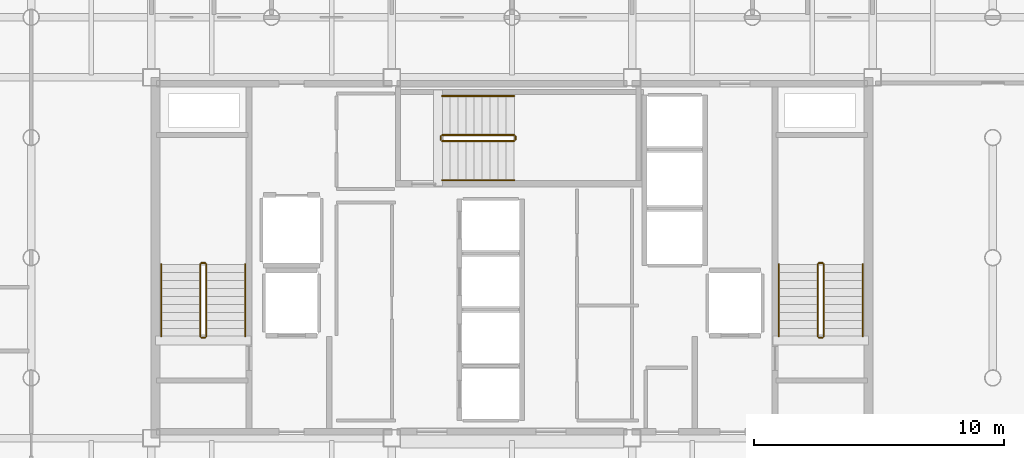
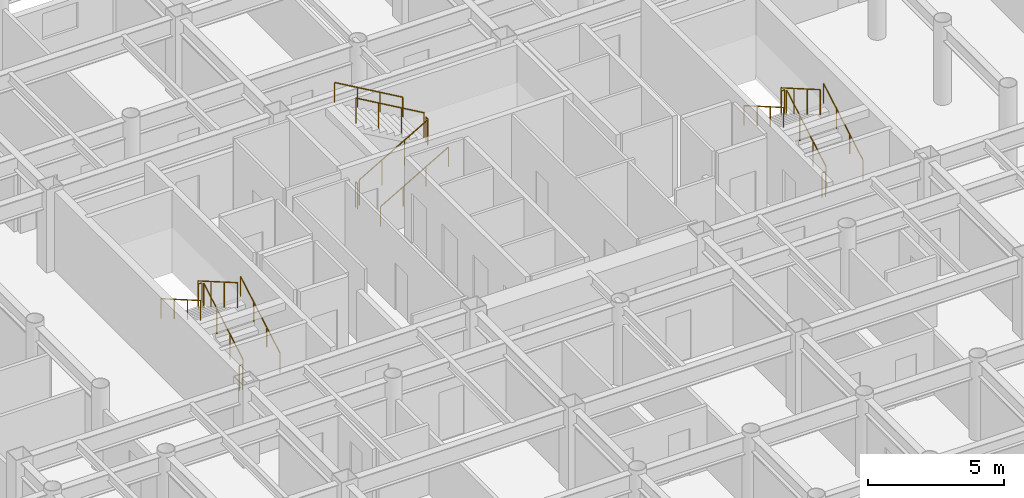
# One storey, part 20 of 20: 18 railings.
"""IFC4 building model written with IfcOpenShell, lengths in metres."""

from ifc_helpers import new_model, si_unit, direction, frame, origin, origin_2d, place, context, subcontext, project, spatial, circle, extrude, material, layer, layer_set, type_object, element, save


model = new_model("IFC4")

# Units and contexts
model_context = context("Model", 3, precision=1e-05, world=origin(), true_north=direction((0.0, 1.0)))
body_context = subcontext(model_context, "Body", "Model", "MODEL_VIEW")
ifc_project = project(units=[si_unit("LENGTHUNIT", "METRE"), si_unit("AREAUNIT", "SQUARE_METRE"), si_unit("VOLUMEUNIT", "CUBIC_METRE"), si_unit("PLANEANGLEUNIT", "RADIAN"), si_unit("MASSUNIT", "GRAM", prefix="KILO")], contexts=[model_context])

# Site, building, storey
site_placement = place(None, origin())
site = spatial("IfcSite", under=ifc_project, at=site_placement, CompositionType="ELEMENT")
building_placement = place(site_placement, origin())
building = spatial("IfcBuilding", under=site, at=building_placement, Name="Kallvorn Hotel Tower", CompositionType="ELEMENT")
storey_placement = place(building_placement, frame((0.0, 0.0, 161.800048828125)))
storey = spatial("IfcBuildingStorey", under=building, at=storey_placement, Name="L40", CompositionType="ELEMENT", Elevation=161.800048828125)

# Railings
ifc_material_1 = material(Name="Brushed stainless-steel tubular railing", Category="steel")
ifc_layer_1 = layer(ifc_material_1, 0.050048828125)
ifc_layer_set_1 = layer_set([ifc_layer_1], Name="RL_STAIR_GUARD")
railing_type_1 = type_object("IfcRailingType", Name="RL_STAIR_GUARD", PredefinedType="GUARDRAIL", material=ifc_layer_set_1)
railing_1_placement = place(storey_placement, frame((-12.2099609375, -3.139892578125, 0.18505859375)))
element("IfcRailing", 1, at=railing_1_placement, inside=storey, type_object=railing_type_1, Name="L40 ST1 stair guard 1", PredefinedType="GUARDRAIL", context=body_context, shape_type="SweptSolid", body=[
    extrude(circle(Radius=0.02392578125, at=origin_2d()), frame((0.0, 0.0, 1.1259765625), z_axis=(0.0, 0.86575271903, 0.500472006703), x_axis=(-1.0, 0.0, 0.0)), (0.0, 0.0, 1.0), 3.326416015625),
    extrude(circle(Radius=0.02099609375, at=origin_2d()), origin(), (0.0, 0.0, 1.0), 1.101806640625),
    extrude(circle(Radius=0.02099609375, at=origin_2d()), frame((0.0, 0.9599609375, 0.554931640625)), (0.0, 0.0, 1.0), 1.101806640625),
    extrude(circle(Radius=0.02099609375, at=origin_2d()), frame((0.0, 1.919921875, 1.10986328125)), (0.0, 0.0, 1.0), 1.101806640625),
    extrude(circle(Radius=0.02099609375, at=origin_2d()), frame((0.0, 2.8798828125, 1.664794921875)), (0.0, 0.0, 1.0), 1.101806640625),
])
railing_2_placement = place(storey_placement, frame((-12.260009765625, -0.2099609375, 1.849853515625)))
element("IfcRailing", 2, at=railing_2_placement, inside=storey, type_object=railing_type_1, Name="L40 ST1 stair guard 2", PredefinedType="GUARDRAIL", context=body_context, shape_type="SweptSolid", body=[
    extrude(circle(Radius=0.02392578125, at=origin_2d()), frame((0.0, 0.0, 1.1259765625), z_axis=(-1.0, 0.0, 0.0), x_axis=(0.0, -1.0, 0.0)), (0.0, 0.0, 1.0), 0.139892578125),
    extrude(circle(Radius=0.02099609375, at=origin_2d()), origin(), (0.0, 0.0, 1.0), 1.101806640625),
    extrude(circle(Radius=0.02099609375, at=origin_2d()), frame((-0.139892578125, 0.0, 0.0)), (0.0, 0.0, 1.0), 1.101806640625),
])
railing_3_placement = place(storey_placement, frame((-12.449951171875, -0.260009765625, 2.034912109375)))
element("IfcRailing", 3, at=railing_3_placement, inside=storey, type_object=railing_type_1, Name="L40 ST1 stair guard 3", PredefinedType="GUARDRAIL", context=body_context, shape_type="SweptSolid", body=[
    extrude(circle(Radius=0.02392578125, at=origin_2d()), frame((0.0, 0.0, 1.1259765625), z_axis=(0.0, -0.865720918037, 0.500527014328), x_axis=(1.0, 0.0, 0.0)), (0.0, 0.0, 1.0), 3.32666015625),
    extrude(circle(Radius=0.02099609375, at=origin_2d()), origin(), (0.0, 0.0, 1.0), 1.101806640625),
    extrude(circle(Radius=0.02099609375, at=origin_2d()), frame((0.0, -0.9599609375, 0.554931640625)), (0.0, 0.0, 1.0), 1.101806640625),
    extrude(circle(Radius=0.02099609375, at=origin_2d()), frame((0.0, -1.919921875, 1.110107421875)), (0.0, 0.0, 1.0), 1.101806640625),
    extrude(circle(Radius=0.02099609375, at=origin_2d()), frame((0.0, -2.8798828125, 1.6650390625)), (0.0, 0.0, 1.0), 1.101806640625),
])
railing_4_placement = place(storey_placement, frame((-12.260009765625, -3.18994140625, 0.0)))
element("IfcRailing", 4, at=railing_4_placement, inside=storey, type_object=railing_type_1, Name="L40 ST1 stair guard 4", PredefinedType="GUARDRAIL", context=body_context, shape_type="SweptSolid", body=[
    extrude(circle(Radius=0.02392578125, at=origin_2d()), frame((0.0, 0.0, 1.1259765625), z_axis=(-1.0, 0.0, 0.0), x_axis=(0.0, -1.0, 0.0)), (0.0, 0.0, 1.0), 0.139892578125),
    extrude(circle(Radius=0.02099609375, at=origin_2d()), origin(), (0.0, 0.0, 1.0), 1.101806640625),
    extrude(circle(Radius=0.02099609375, at=origin_2d()), frame((-0.139892578125, 0.0, 0.0)), (0.0, 0.0, 1.0), 1.101806640625),
])
railing_5_placement = place(storey_placement, frame((12.449951171875, -3.139892578125, 0.18505859375)))
element("IfcRailing", 5, at=railing_5_placement, inside=storey, type_object=railing_type_1, Name="L40 ST2 stair guard 1", PredefinedType="GUARDRAIL", context=body_context, shape_type="SweptSolid", body=[
    extrude(circle(Radius=0.02392578125, at=origin_2d()), frame((0.0, 0.0, 1.1259765625), z_axis=(0.0, 0.86575271903, 0.500472006703), x_axis=(-1.0, 0.0, 0.0)), (0.0, 0.0, 1.0), 3.326416015625),
    extrude(circle(Radius=0.02099609375, at=origin_2d()), origin(), (0.0, 0.0, 1.0), 1.101806640625),
    extrude(circle(Radius=0.02099609375, at=origin_2d()), frame((0.0, 0.9599609375, 0.554931640625)), (0.0, 0.0, 1.0), 1.101806640625),
    extrude(circle(Radius=0.02099609375, at=origin_2d()), frame((0.0, 1.919921875, 1.10986328125)), (0.0, 0.0, 1.0), 1.101806640625),
    extrude(circle(Radius=0.02099609375, at=origin_2d()), frame((0.0, 2.8798828125, 1.664794921875)), (0.0, 0.0, 1.0), 1.101806640625),
])
railing_6_placement = place(storey_placement, frame((12.39990234375, -0.2099609375, 1.849853515625)))
element("IfcRailing", 6, at=railing_6_placement, inside=storey, type_object=railing_type_1, Name="L40 ST2 stair guard 2", PredefinedType="GUARDRAIL", context=body_context, shape_type="SweptSolid", body=[
    extrude(circle(Radius=0.02392578125, at=origin_2d()), frame((0.0, 0.0, 1.1259765625), z_axis=(-1.0, 0.0, 0.0), x_axis=(0.0, -1.0, 0.0)), (0.0, 0.0, 1.0), 0.139892578125),
    extrude(circle(Radius=0.02099609375, at=origin_2d()), origin(), (0.0, 0.0, 1.0), 1.101806640625),
    extrude(circle(Radius=0.02099609375, at=origin_2d()), frame((-0.139892578125, 0.0, 0.0)), (0.0, 0.0, 1.0), 1.101806640625),
])
railing_7_placement = place(storey_placement, frame((12.2099609375, -0.260009765625, 2.034912109375)))
element("IfcRailing", 7, at=railing_7_placement, inside=storey, type_object=railing_type_1, Name="L40 ST2 stair guard 3", PredefinedType="GUARDRAIL", context=body_context, shape_type="SweptSolid", body=[
    extrude(circle(Radius=0.02392578125, at=origin_2d()), frame((0.0, 0.0, 1.1259765625), z_axis=(0.0, -0.865720918037, 0.500527014328), x_axis=(1.0, 0.0, 0.0)), (0.0, 0.0, 1.0), 3.32666015625),
    extrude(circle(Radius=0.02099609375, at=origin_2d()), origin(), (0.0, 0.0, 1.0), 1.101806640625),
    extrude(circle(Radius=0.02099609375, at=origin_2d()), frame((0.0, -0.9599609375, 0.554931640625)), (0.0, 0.0, 1.0), 1.101806640625),
    extrude(circle(Radius=0.02099609375, at=origin_2d()), frame((0.0, -1.919921875, 1.110107421875)), (0.0, 0.0, 1.0), 1.101806640625),
    extrude(circle(Radius=0.02099609375, at=origin_2d()), frame((0.0, -2.8798828125, 1.6650390625)), (0.0, 0.0, 1.0), 1.101806640625),
])
railing_8_placement = place(storey_placement, frame((12.39990234375, -3.18994140625, 0.0)))
element("IfcRailing", 8, at=railing_8_placement, inside=storey, type_object=railing_type_1, Name="L40 ST2 stair guard 4", PredefinedType="GUARDRAIL", context=body_context, shape_type="SweptSolid", body=[
    extrude(circle(Radius=0.02392578125, at=origin_2d()), frame((0.0, 0.0, 1.1259765625), z_axis=(-1.0, 0.0, 0.0), x_axis=(0.0, -1.0, 0.0)), (0.0, 0.0, 1.0), 0.139892578125),
    extrude(circle(Radius=0.02099609375, at=origin_2d()), origin(), (0.0, 0.0, 1.0), 1.101806640625),
    extrude(circle(Radius=0.02099609375, at=origin_2d()), frame((-0.139892578125, 0.0, 0.0)), (0.0, 0.0, 1.0), 1.101806640625),
])
railing_9_placement = place(storey_placement, frame((-2.7900390625, 4.659912109375, 0.18505859375)))
element("IfcRailing", 9, at=railing_9_placement, inside=storey, type_object=railing_type_1, Name="L40 ST3 stair guard 1", PredefinedType="GUARDRAIL", context=body_context, shape_type="SweptSolid", body=[
    extrude(circle(Radius=0.02392578125, at=origin_2d()), frame((0.0, 0.0, 1.1259765625), z_axis=(0.865771100375, 0.0, 0.500440207973), x_axis=(0.0, 1.0, 0.0)), (0.0, 0.0, 1.0), 3.32666015625),
    extrude(circle(Radius=0.02099609375, at=origin_2d()), origin(), (0.0, 0.0, 1.0), 1.101806640625),
    extrude(circle(Radius=0.02099609375, at=origin_2d()), frame((0.9599609375, 0.0, 0.554931640625)), (0.0, 0.0, 1.0), 1.101806640625),
    extrude(circle(Radius=0.02099609375, at=origin_2d()), frame((1.920166015625, 0.0, 1.10986328125)), (0.0, 0.0, 1.0), 1.101806640625),
    extrude(circle(Radius=0.02099609375, at=origin_2d()), frame((2.880126953125, 0.0, 1.664794921875)), (0.0, 0.0, 1.0), 1.101806640625),
])
railing_10_placement = place(storey_placement, frame((0.139892578125, 4.7099609375, 1.849853515625)))
element("IfcRailing", 10, at=railing_10_placement, inside=storey, type_object=railing_type_1, Name="L40 ST3 stair guard 2", PredefinedType="GUARDRAIL", context=body_context, shape_type="SweptSolid", body=[
    extrude(circle(Radius=0.02392578125, at=origin_2d()), frame((0.0, 0.0, 1.1259765625), z_axis=(0.0, 1.0, 0.0), x_axis=(-1.0, 0.0, 0.0)), (0.0, 0.0, 1.0), 0.14013671875),
    extrude(circle(Radius=0.02099609375, at=origin_2d()), origin(), (0.0, 0.0, 1.0), 1.101806640625),
    extrude(circle(Radius=0.02099609375, at=origin_2d()), frame((0.0, 0.14013671875, 0.0)), (0.0, 0.0, 1.0), 1.101806640625),
])
railing_11_placement = place(storey_placement, frame((0.090087890625, 4.89990234375, 2.034912109375)))
element("IfcRailing", 11, at=railing_11_placement, inside=storey, type_object=railing_type_1, Name="L40 ST3 stair guard 3", PredefinedType="GUARDRAIL", context=body_context, shape_type="SweptSolid", body=[
    extrude(circle(Radius=0.02392578125, at=origin_2d()), frame((0.0, 0.0, 1.1259765625), z_axis=(-0.865739302748, 0.0, 0.50049521444), x_axis=(0.0, -1.0, 0.0)), (0.0, 0.0, 1.0), 3.326904296875),
    extrude(circle(Radius=0.02099609375, at=origin_2d()), origin(), (0.0, 0.0, 1.0), 1.101806640625),
    extrude(circle(Radius=0.02099609375, at=origin_2d()), frame((-0.9599609375, 0.0, 0.554931640625)), (0.0, 0.0, 1.0), 1.101806640625),
    extrude(circle(Radius=0.02099609375, at=origin_2d()), frame((-1.920166015625, 0.0, 1.110107421875)), (0.0, 0.0, 1.0), 1.101806640625),
    extrude(circle(Radius=0.02099609375, at=origin_2d()), frame((-2.880126953125, 0.0, 1.6650390625)), (0.0, 0.0, 1.0), 1.101806640625),
])
railing_12_placement = place(storey_placement, frame((-2.840087890625, 4.7099609375, 0.0)))
element("IfcRailing", 12, at=railing_12_placement, inside=storey, type_object=railing_type_1, Name="L40 ST3 stair guard 4", PredefinedType="GUARDRAIL", context=body_context, shape_type="SweptSolid", body=[
    extrude(circle(Radius=0.02392578125, at=origin_2d()), frame((0.0, 0.0, 1.1259765625), z_axis=(0.0, 1.0, 0.0), x_axis=(-1.0, 0.0, 0.0)), (0.0, 0.0, 1.0), 0.14013671875),
    extrude(circle(Radius=0.02099609375, at=origin_2d()), origin(), (0.0, 0.0, 1.0), 1.101806640625),
    extrude(circle(Radius=0.02099609375, at=origin_2d()), frame((0.0, 0.14013671875, 0.0)), (0.0, 0.0, 1.0), 1.101806640625),
])
ifc_material_2 = material(Name="Brushed stainless-steel tubular railing", Category="steel")
ifc_layer_2 = layer(ifc_material_2, 0.050048828125)
ifc_layer_set_2 = layer_set([ifc_layer_2], Name="RL_STAIR_HAND")
railing_type_2 = type_object("IfcRailingType", Name="RL_STAIR_HAND", PredefinedType="HANDRAIL", material=ifc_layer_set_2)
railing_13_placement = place(storey_placement, frame((-10.64990234375, -3.139892578125, 0.18505859375)))
element("IfcRailing", 13, at=railing_13_placement, inside=storey, type_object=railing_type_2, Name="L40 ST1 stair handrail 1", PredefinedType="HANDRAIL", context=body_context, shape_type="SweptSolid", body=[
    extrude(circle(Radius=0.02392578125, at=origin_2d()), frame((0.0, 0.0, 0.8759765625), z_axis=(0.0, 0.86575271903, 0.500472006703), x_axis=(-1.0, 0.0, 0.0)), (0.0, 0.0, 1.0), 3.326416015625),
    extrude(circle(Radius=0.02099609375, at=origin_2d()), origin(), (0.0, 0.0, 1.0), 0.851806640625),
    extrude(circle(Radius=0.02099609375, at=origin_2d()), frame((0.0, 0.9599609375, 0.554931640625)), (0.0, 0.0, 1.0), 0.851806640625),
    extrude(circle(Radius=0.02099609375, at=origin_2d()), frame((0.0, 1.919921875, 1.10986328125)), (0.0, 0.0, 1.0), 0.851806640625),
    extrude(circle(Radius=0.02099609375, at=origin_2d()), frame((0.0, 2.8798828125, 1.664794921875)), (0.0, 0.0, 1.0), 0.851806640625),
])
railing_14_placement = place(storey_placement, frame((-14.010009765625, -0.260009765625, 2.034912109375)))
element("IfcRailing", 14, at=railing_14_placement, inside=storey, type_object=railing_type_2, Name="L40 ST1 stair handrail 2", PredefinedType="HANDRAIL", context=body_context, shape_type="SweptSolid", body=[
    extrude(circle(Radius=0.02392578125, at=origin_2d()), frame((0.0, 0.0, 0.8759765625), z_axis=(0.0, -0.865720918037, 0.500527014328), x_axis=(1.0, 0.0, 0.0)), (0.0, 0.0, 1.0), 3.32666015625),
    extrude(circle(Radius=0.02099609375, at=origin_2d()), origin(), (0.0, 0.0, 1.0), 0.851806640625),
    extrude(circle(Radius=0.02099609375, at=origin_2d()), frame((0.0, -0.9599609375, 0.554931640625)), (0.0, 0.0, 1.0), 0.851806640625),
    extrude(circle(Radius=0.02099609375, at=origin_2d()), frame((0.0, -1.919921875, 1.110107421875)), (0.0, 0.0, 1.0), 0.851806640625),
    extrude(circle(Radius=0.02099609375, at=origin_2d()), frame((0.0, -2.8798828125, 1.6650390625)), (0.0, 0.0, 1.0), 0.851806640625),
])
railing_15_placement = place(storey_placement, frame((14.010009765625, -3.139892578125, 0.18505859375)))
element("IfcRailing", 15, at=railing_15_placement, inside=storey, type_object=railing_type_2, Name="L40 ST2 stair handrail 1", PredefinedType="HANDRAIL", context=body_context, shape_type="SweptSolid", body=[
    extrude(circle(Radius=0.02392578125, at=origin_2d()), frame((0.0, 0.0, 0.8759765625), z_axis=(0.0, 0.86575271903, 0.500472006703), x_axis=(-1.0, 0.0, 0.0)), (0.0, 0.0, 1.0), 3.326416015625),
    extrude(circle(Radius=0.02099609375, at=origin_2d()), origin(), (0.0, 0.0, 1.0), 0.851806640625),
    extrude(circle(Radius=0.02099609375, at=origin_2d()), frame((0.0, 0.9599609375, 0.554931640625)), (0.0, 0.0, 1.0), 0.851806640625),
    extrude(circle(Radius=0.02099609375, at=origin_2d()), frame((0.0, 1.919921875, 1.10986328125)), (0.0, 0.0, 1.0), 0.851806640625),
    extrude(circle(Radius=0.02099609375, at=origin_2d()), frame((0.0, 2.8798828125, 1.664794921875)), (0.0, 0.0, 1.0), 0.851806640625),
])
railing_16_placement = place(storey_placement, frame((10.64990234375, -0.260009765625, 2.034912109375)))
element("IfcRailing", 16, at=railing_16_placement, inside=storey, type_object=railing_type_2, Name="L40 ST2 stair handrail 2", PredefinedType="HANDRAIL", context=body_context, shape_type="SweptSolid", body=[
    extrude(circle(Radius=0.02392578125, at=origin_2d()), frame((0.0, 0.0, 0.8759765625), z_axis=(0.0, -0.865720918037, 0.500527014328), x_axis=(1.0, 0.0, 0.0)), (0.0, 0.0, 1.0), 3.32666015625),
    extrude(circle(Radius=0.02099609375, at=origin_2d()), origin(), (0.0, 0.0, 1.0), 0.851806640625),
    extrude(circle(Radius=0.02099609375, at=origin_2d()), frame((0.0, -0.9599609375, 0.554931640625)), (0.0, 0.0, 1.0), 0.851806640625),
    extrude(circle(Radius=0.02099609375, at=origin_2d()), frame((0.0, -1.919921875, 1.110107421875)), (0.0, 0.0, 1.0), 0.851806640625),
    extrude(circle(Radius=0.02099609375, at=origin_2d()), frame((0.0, -2.8798828125, 1.6650390625)), (0.0, 0.0, 1.0), 0.851806640625),
])
railing_17_placement = place(storey_placement, frame((-2.7900390625, 3.10009765625, 0.18505859375)))
element("IfcRailing", 17, at=railing_17_placement, inside=storey, type_object=railing_type_2, Name="L40 ST3 stair handrail 1", PredefinedType="HANDRAIL", context=body_context, shape_type="SweptSolid", body=[
    extrude(circle(Radius=0.02392578125, at=origin_2d()), frame((0.0, 0.0, 0.8759765625), z_axis=(0.865771100375, 0.0, 0.500440207973), x_axis=(0.0, 1.0, 0.0)), (0.0, 0.0, 1.0), 3.32666015625),
    extrude(circle(Radius=0.02099609375, at=origin_2d()), origin(), (0.0, 0.0, 1.0), 0.851806640625),
    extrude(circle(Radius=0.02099609375, at=origin_2d()), frame((0.9599609375, 0.0, 0.554931640625)), (0.0, 0.0, 1.0), 0.851806640625),
    extrude(circle(Radius=0.02099609375, at=origin_2d()), frame((1.920166015625, 0.0, 1.10986328125)), (0.0, 0.0, 1.0), 0.851806640625),
    extrude(circle(Radius=0.02099609375, at=origin_2d()), frame((2.880126953125, 0.0, 1.664794921875)), (0.0, 0.0, 1.0), 0.851806640625),
])
railing_18_placement = place(storey_placement, frame((0.090087890625, 6.4599609375, 2.034912109375)))
element("IfcRailing", 18, at=railing_18_placement, inside=storey, type_object=railing_type_2, Name="L40 ST3 stair handrail 2", PredefinedType="HANDRAIL", context=body_context, shape_type="SweptSolid", body=[
    extrude(circle(Radius=0.02392578125, at=origin_2d()), frame((0.0, 0.0, 0.8759765625), z_axis=(-0.865739302748, 0.0, 0.50049521444), x_axis=(0.0, -1.0, 0.0)), (0.0, 0.0, 1.0), 3.326904296875),
    extrude(circle(Radius=0.02099609375, at=origin_2d()), origin(), (0.0, 0.0, 1.0), 0.851806640625),
    extrude(circle(Radius=0.02099609375, at=origin_2d()), frame((-0.9599609375, 0.0, 0.554931640625)), (0.0, 0.0, 1.0), 0.851806640625),
    extrude(circle(Radius=0.02099609375, at=origin_2d()), frame((-1.920166015625, 0.0, 1.110107421875)), (0.0, 0.0, 1.0), 0.851806640625),
    extrude(circle(Radius=0.02099609375, at=origin_2d()), frame((-2.880126953125, 0.0, 1.6650390625)), (0.0, 0.0, 1.0), 0.851806640625),
])

save(model, "model.ifc")
